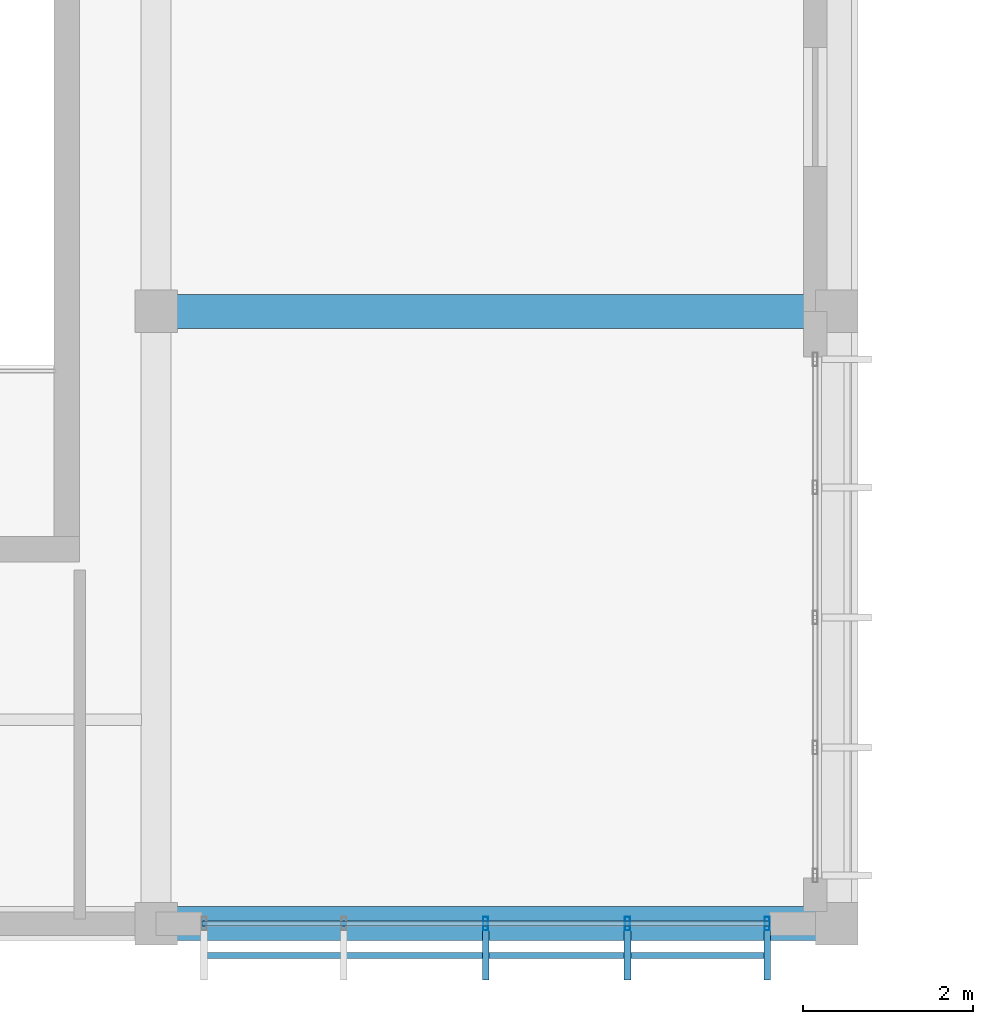
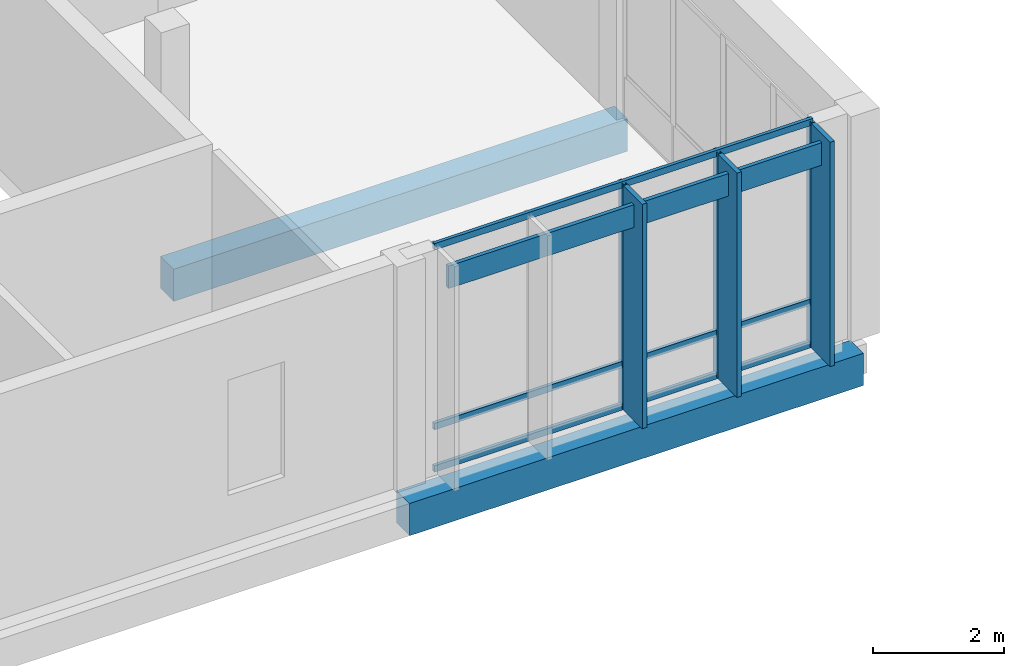
# One storey, part 25 of 182: 10 members, 2 beams, 1 element without a shape of its own.
"""IFC4 building model written with IfcOpenShell, lengths in metres."""

from ifc_helpers import new_model, si_unit, direction, frame, origin, origin_2d, place, context, subcontext, project, spatial, rectangle, hollow_rectangle, extrude, material, material_profile, profile_set, type_object, element, aggregate, save


model = new_model("IFC4")

# Units and contexts
model_context = context("Model", 3, precision=1e-05, world=origin(), true_north=direction((0.0, 1.0)))
body_context = subcontext(model_context, "Body", "Model", "MODEL_VIEW")
ifc_project = project(units=[si_unit("LENGTHUNIT", "METRE"), si_unit("AREAUNIT", "SQUARE_METRE"), si_unit("VOLUMEUNIT", "CUBIC_METRE"), si_unit("PLANEANGLEUNIT", "RADIAN"), si_unit("MASSUNIT", "GRAM", prefix="KILO")], contexts=[model_context])

# Site, building, storey
site_placement = place(None, origin())
site = spatial("IfcSite", under=ifc_project, at=site_placement, CompositionType="ELEMENT")
building_placement = place(site_placement, origin())
building = spatial("IfcBuilding", under=site, at=building_placement, Name="Chiffa Square Polytechnic", CompositionType="ELEMENT")
storey_placement = place(building_placement, frame((0.0, 0.0, 9.60009765625)))
storey = spatial("IfcBuildingStorey", under=building, at=storey_placement, Name="L02", CompositionType="ELEMENT", Elevation=9.60009765625)

# Beams
ifc_material_1 = material(Name="Concrete C35/45", Category="concrete")
ifc_material_profile_1 = material_profile(ifc_material_1, rectangle(XDim=0.39990234375, YDim=0.60009765625, at=origin_2d()), Name="RC 400x600")
ifc_profile_set_1 = profile_set([ifc_material_profile_1], Name="Concrete C35/45")
beam_type = type_object("IfcBeamType", Name="BM-RC-400X600", PredefinedType="BEAM", material=ifc_profile_set_1)
for number, where, z_axis, x_axis, name in (
    (1, (40.0, 0.0, -0.6201171875), (1.0, 0.0, 0.0), (0.0, 1.0, 0.0), "Primary floor girder BM-V3-L02-X-0400-0000"),
    (2, (40.0, 7.199951171875, -0.6201171875), (1.0, 0.0, 0.0), (0.0, 1.0, 0.0), "Primary floor girder BM-V3-L02-X-0400-0072"),
):
    element("IfcBeam", number, at=place(storey_placement, frame(where, z_axis=z_axis, x_axis=x_axis)), inside=storey, type_object=beam_type, Name=name, PredefinedType="BEAM", context=body_context, shape_type="SweptSolid", body=[
        extrude(rectangle(XDim=0.39990234375, YDim=0.60009765625, at=origin_2d()), origin(), (0.0, 0.0, 1.0), 8.0),
    ])

# Curtain wall, members
ifc_material_2 = material(Name="Aluminium EN AW-6060 T66 and glulam shading", Category="wood")
curtain_wall_type = type_object("IfcCurtainWallType", Name="CW-VERT-450X440", PredefinedType="USERDEFINED", material=ifc_material_2)
curtain_wall_placement = place(storey_placement, origin())
curtain_wall = element("IfcCurtainWall", 3, at=curtain_wall_placement, inside=storey, type_object=curtain_wall_type, Name="Curtain wall CW-V3-L02-168", ObjectType="CURTAIN WALL", PredefinedType="USERDEFINED")
ifc_material_3 = material(Name="Aluminium EN AW-6060 T66", Category="aluminium")
ifc_material_profile_2 = material_profile(ifc_material_3, hollow_rectangle(XDim=0.06005859375, YDim=0.159912109375, WallThickness=0.00390625, at=origin_2d()), Name="ALU 60x160x4")
ifc_profile_set_2 = profile_set([ifc_material_profile_2], Name="Aluminium EN AW-6060 T66")
member_type_1 = type_object("IfcMemberType", Name="CWM-ALU-65X150", PredefinedType="MULLION", material=ifc_profile_set_2)
member_1_placement = place(storey_placement, frame((43.875, 0.0, 0.0), z_axis=(0.0, 0.0, 1.0), x_axis=(1.0, 0.0, 0.0)))
member_1 = element("IfcMember", 4, at=member_1_placement, type_object=member_type_1, Name="Curtain wall mullion CW-V3-L02-168-M02", PredefinedType="MULLION", context=body_context, shape_type="SweptSolid", body=[
    extrude(hollow_rectangle(XDim=0.06005859375, YDim=0.159912109375, WallThickness=0.00390625, at=origin_2d()), origin(), (0.0, 0.0, 1.0), 4.199951171875),
])
member_2_placement = place(storey_placement, frame((45.54296875, 0.0, 0.0), z_axis=(0.0, 0.0, 1.0), x_axis=(1.0, 0.0, 0.0)))
member_2 = element("IfcMember", 5, at=member_2_placement, type_object=member_type_1, Name="Curtain wall mullion CW-V3-L02-168-M03", PredefinedType="MULLION", context=body_context, shape_type="SweptSolid", body=[
    extrude(hollow_rectangle(XDim=0.06005859375, YDim=0.159912109375, WallThickness=0.00390625, at=origin_2d()), origin(), (0.0, 0.0, 1.0), 4.199951171875),
])
member_3_placement = place(storey_placement, frame((47.18505859375, 0.0, 0.0), z_axis=(0.0, 0.0, 1.0), x_axis=(1.0, 0.0, 0.0)))
member_3 = element("IfcMember", 6, at=member_3_placement, type_object=member_type_1, Name="Curtain wall mullion CW-V3-L02-168-M04", PredefinedType="MULLION", context=body_context, shape_type="SweptSolid", body=[
    extrude(hollow_rectangle(XDim=0.06005859375, YDim=0.159912109375, WallThickness=0.00390625, at=origin_2d()), origin(), (0.0, 0.0, 1.0), 4.199951171875),
])
ifc_material_4 = material(Name="Glulam GL28h", Category="wood")
ifc_material_profile_3 = material_profile(ifc_material_4, rectangle(XDim=0.080078125, YDim=0.580078125, at=origin_2d()), Name="GL28h 80x580")
ifc_profile_set_3 = profile_set([ifc_material_profile_3], Name="Glulam GL28h")
member_type_2 = type_object("IfcMemberType", Name="CWM-GL-80X580", PredefinedType="MULLION", material=ifc_profile_set_3)
member_4_placement = place(storey_placement, frame((43.875, -0.3720703125, 0.010009765625), z_axis=(0.0, 0.0, 1.0), x_axis=(1.0, 0.0, 0.0)))
member_4 = element("IfcMember", 7, at=member_4_placement, type_object=member_type_2, Name="Exterior glulam solar fin CW-V3-L02-168-FN02", PredefinedType="MULLION", context=body_context, shape_type="SweptSolid", body=[
    extrude(rectangle(XDim=0.080078125, YDim=0.580078125, at=origin_2d()), origin(), (0.0, 0.0, 1.0), 4.179931640625),
])
member_5_placement = place(storey_placement, frame((45.54296875, -0.3720703125, 0.010009765625), z_axis=(0.0, 0.0, 1.0), x_axis=(1.0, 0.0, 0.0)))
member_5 = element("IfcMember", 8, at=member_5_placement, type_object=member_type_2, Name="Exterior glulam solar fin CW-V3-L02-168-FN03", PredefinedType="MULLION", context=body_context, shape_type="SweptSolid", body=[
    extrude(rectangle(XDim=0.080078125, YDim=0.580078125, at=origin_2d()), origin(), (0.0, 0.0, 1.0), 4.179931640625),
])
member_6_placement = place(storey_placement, frame((47.18505859375, -0.3720703125, 0.010009765625), z_axis=(0.0, 0.0, 1.0), x_axis=(1.0, 0.0, 0.0)))
member_6 = element("IfcMember", 9, at=member_6_placement, type_object=member_type_2, Name="Exterior glulam solar fin CW-V3-L02-168-FN04", PredefinedType="MULLION", context=body_context, shape_type="SweptSolid", body=[
    extrude(rectangle(XDim=0.080078125, YDim=0.580078125, at=origin_2d()), origin(), (0.0, 0.0, 1.0), 4.179931640625),
])
ifc_material_profile_4 = material_profile(ifc_material_3, hollow_rectangle(XDim=0.06005859375, YDim=0.1201171875, WallThickness=0.00390625, at=origin_2d()), Name="ALU 60x120x4")
ifc_profile_set_4 = profile_set([ifc_material_profile_4], Name="Aluminium EN AW-6060 T66")
member_type_3 = type_object("IfcMemberType", Name="CWT-ALU-65X120", PredefinedType="USERDEFINED", material=ifc_profile_set_4)
member_7_placement = place(storey_placement, frame((40.5380859375, 0.0, 0.02978515625), z_axis=(1.0, 0.0, 0.0), x_axis=(0.0, 1.0, 0.0)))
member_7 = element("IfcMember", 10, at=member_7_placement, type_object=member_type_3, Name="Curtain wall transom CW-V3-L02-168-T01", ObjectType="TRANSOM", PredefinedType="USERDEFINED", context=body_context, shape_type="SweptSolid", body=[
    extrude(hollow_rectangle(XDim=0.06005859375, YDim=0.1201171875, WallThickness=0.00390625, at=origin_2d()), origin(), (0.0, 0.0, 1.0), 6.673828125),
])
member_8_placement = place(storey_placement, frame((40.5380859375, 0.0, 0.81982421875), z_axis=(1.0, 0.0, 0.0), x_axis=(0.0, 1.0, 0.0)))
member_8 = element("IfcMember", 11, at=member_8_placement, type_object=member_type_3, Name="Curtain wall transom CW-V3-L02-168-T02", ObjectType="TRANSOM", PredefinedType="USERDEFINED", context=body_context, shape_type="SweptSolid", body=[
    extrude(hollow_rectangle(XDim=0.06005859375, YDim=0.1201171875, WallThickness=0.00390625, at=origin_2d()), origin(), (0.0, 0.0, 1.0), 6.673828125),
])
member_9_placement = place(storey_placement, frame((40.5380859375, 0.0, 4.169921875), z_axis=(1.0, 0.0, 0.0), x_axis=(0.0, 1.0, 0.0)))
member_9 = element("IfcMember", 12, at=member_9_placement, type_object=member_type_3, Name="Curtain wall transom CW-V3-L02-168-T03", ObjectType="TRANSOM", PredefinedType="USERDEFINED", context=body_context, shape_type="SweptSolid", body=[
    extrude(hollow_rectangle(XDim=0.06005859375, YDim=0.1201171875, WallThickness=0.00390625, at=origin_2d()), origin(), (0.0, 0.0, 1.0), 6.673828125),
])
ifc_material_profile_5 = material_profile(ifc_material_4, rectangle(XDim=0.070068359375, YDim=0.419921875, at=origin_2d()), Name="GL28h 70x420")
ifc_profile_set_5 = profile_set([ifc_material_profile_5], Name="Glulam GL28h")
member_type_4 = type_object("IfcMemberType", Name="CWT-GL-70X420", PredefinedType="USERDEFINED", material=ifc_profile_set_5)
member_10_placement = place(storey_placement, frame((40.56494140625, -0.3720703125, 3.81982421875), z_axis=(1.0, 0.0, 0.0), x_axis=(0.0, 1.0, 0.0)))
member_10 = element("IfcMember", 13, at=member_10_placement, type_object=member_type_4, Name="Exterior glulam brise-soleil CW-V3-L02-168-BS01", ObjectType="TRANSOM", PredefinedType="USERDEFINED", context=body_context, shape_type="SweptSolid", body=[
    extrude(rectangle(XDim=0.070068359375, YDim=0.419921875, at=origin_2d()), origin(), (0.0, 0.0, 1.0), 6.6201171875),
])
aggregate(curtain_wall, [member_1, member_4, member_2, member_5, member_3, member_6, member_7, member_8, member_9, member_10])

save(model, "model.ifc")
